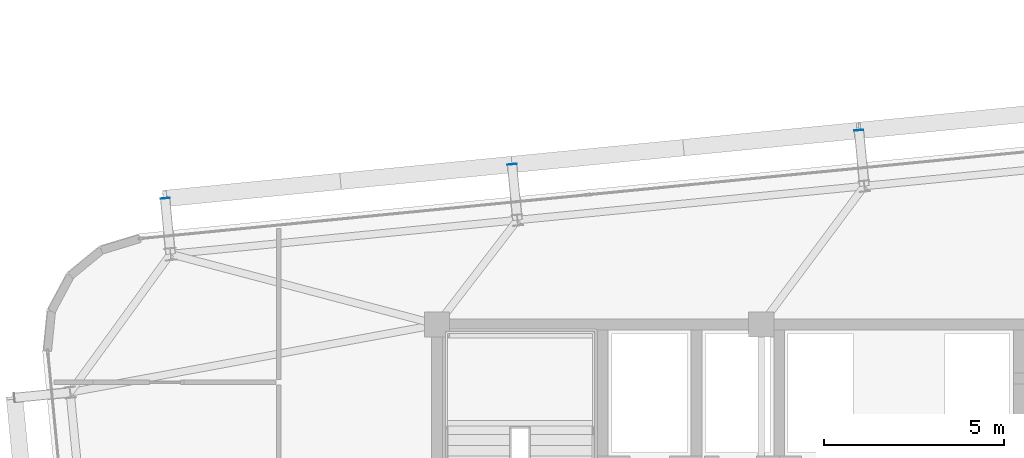
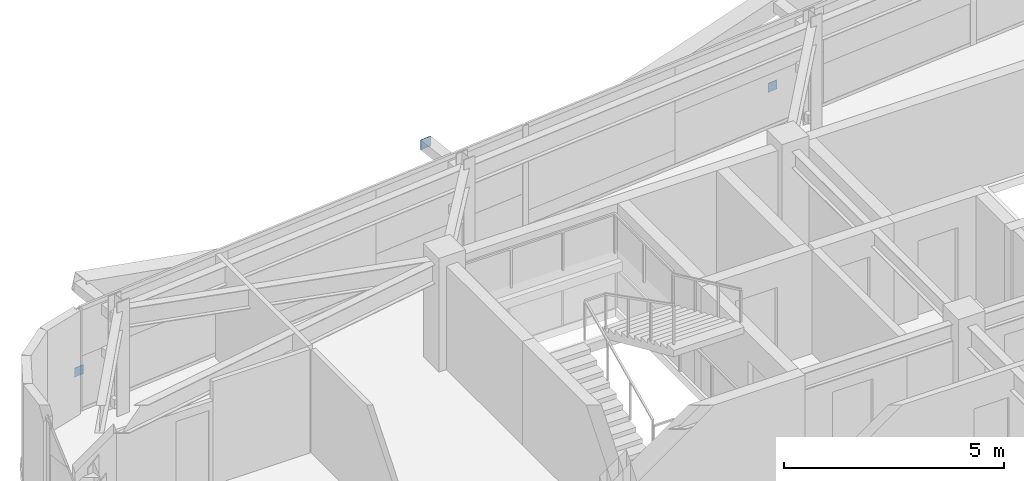
# One storey, part 38 of 47: 3 plates.
"""IFC4 building model written with IfcOpenShell, lengths in metres."""

from ifc_helpers import new_model, si_unit, direction, frame, origin, origin_2d, place, context, subcontext, project, spatial, rectangle, extrude, source, transform, mapped, material, layer, layer_set, type_object, element, save


model = new_model("IFC4")

# Units and contexts
model_context = context("Model", 3, precision=1e-05, world=origin(), true_north=direction((0.0, 1.0)))
body_context = subcontext(model_context, "Body", "Model", "MODEL_VIEW")
ifc_project = project(units=[si_unit("LENGTHUNIT", "METRE"), si_unit("AREAUNIT", "SQUARE_METRE"), si_unit("VOLUMEUNIT", "CUBIC_METRE"), si_unit("PLANEANGLEUNIT", "RADIAN"), si_unit("MASSUNIT", "GRAM", prefix="KILO")], contexts=[model_context])

# Site, building, storey
site_placement = place(None, origin())
site = spatial("IfcSite", under=ifc_project, at=site_placement, CompositionType="ELEMENT")
building_placement = place(site_placement, origin())
building = spatial("IfcBuilding", under=site, at=building_placement, Name="Taldren Reach Tower", CompositionType="ELEMENT")
storey_placement = place(building_placement, frame((0.0, 0.0, 109.199951171875)))
storey = spatial("IfcBuildingStorey", under=building, at=storey_placement, Name="L33", CompositionType="ELEMENT", Elevation=109.199951171875)

# Plates
ifc_material_1 = material(Name="Steel Gr 450 (C450L0)", Category="steel")
ifc_layer_1 = layer(ifc_material_1, 0.011962890625)
ifc_layer_set_1 = layer_set([ifc_layer_1], Name="Steel Gr 450 (C450L0)")
plate_type_1 = type_object("IfcPlateType", Name="PL-CAP-275", PredefinedType="SHEET", material=ifc_layer_set_1)
shared_shape_1 = source(origin(), body_context, "Body", "SweptSolid", [
    extrude(rectangle(XDim=0.27490234375, YDim=0.011962890625, at=origin_2d()), origin(), (0.0, 0.0, 1.0), 0.27490234375),
])
plate_placement = place(storey_placement, frame((21.078857421875, 36.449951171875, 2.45263671875), z_axis=(0.0, 0.0, 1.0), x_axis=(0.995227399982, 0.097582899759, 0.0)))
element("IfcPlate", 1, at=plate_placement, inside=storey, type_object=plate_type_1, Name="Tie strut end cap plate B2-N2 L33", PredefinedType="SHEET", context=body_context, shape_type="MappedRepresentation", body=[
    mapped(shared_shape_1, transform((0.0, 0.0, 0.0), scale=1.0)),
])
ifc_material_2 = material(Name="Steel Gr 350 (C350L0)", Category="steel")
ifc_layer_2 = layer(ifc_material_2, 0.011962890625)
ifc_layer_set_2 = layer_set([ifc_layer_2], Name="Steel Gr 350 (C350L0)")
plate_type_2 = type_object("IfcPlateType", Name="PL-CAP-250", PredefinedType="SHEET", material=ifc_layer_set_2)
shared_shape_2 = source(origin(), body_context, "Body", "SweptSolid", [
    extrude(rectangle(XDim=0.25, YDim=0.011962890625, at=origin_2d()), origin(), (0.0, 0.0, 1.0), 0.25),
])
for number, where, z_axis, x_axis, name in (
    (2, (11.445068359375, 35.50537109375, 0.094970703125), (0.0, 0.0, 1.0), (0.995227399982, 0.097582899759, 0.0), "Tie strut end cap plate B2-N1 L33"),
    (3, (30.712646484375, 37.394775390625, 0.094970703125), (0.0, 0.0, 1.0), (0.995227399982, 0.097582899759, 0.0), "Tie strut end cap plate B2-N3 L33"),
):
    element("IfcPlate", number, at=place(storey_placement, frame(where, z_axis=z_axis, x_axis=x_axis)), inside=storey, type_object=plate_type_2, Name=name, PredefinedType="SHEET", context=body_context, shape_type="MappedRepresentation", body=[
        mapped(shared_shape_2, transform((0.0, 0.0, 0.0), scale=1.0)),
    ])

save(model, "model.ifc")
